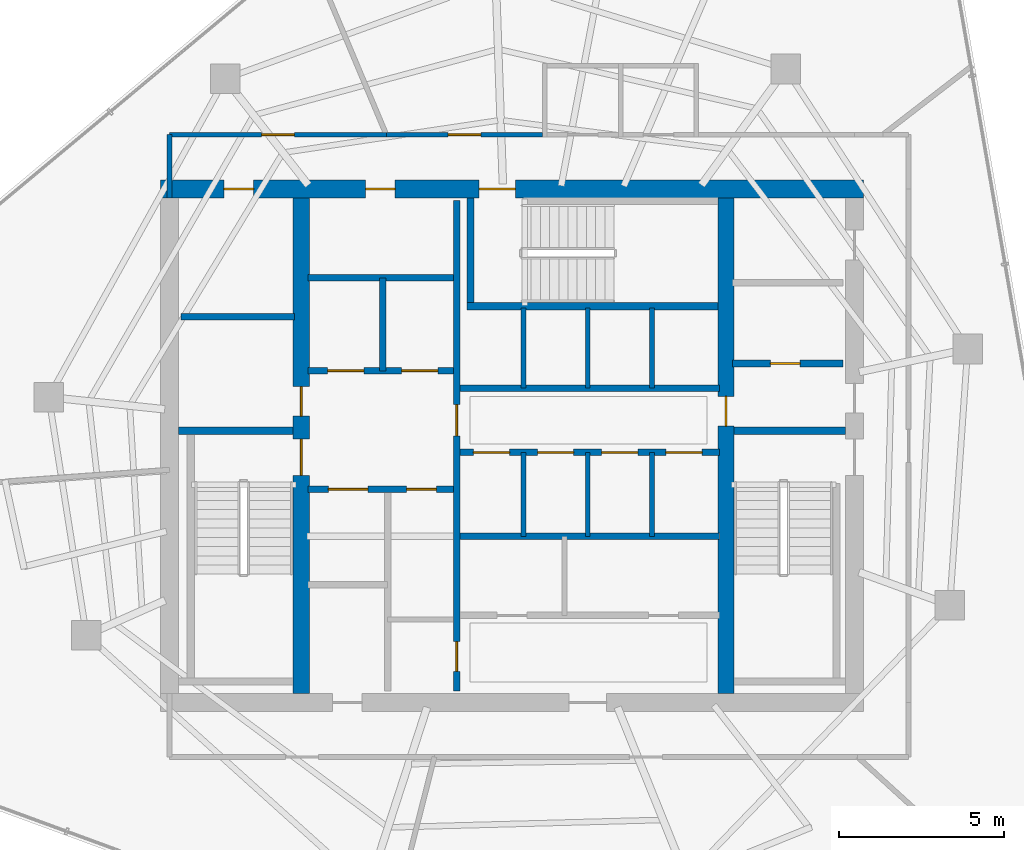
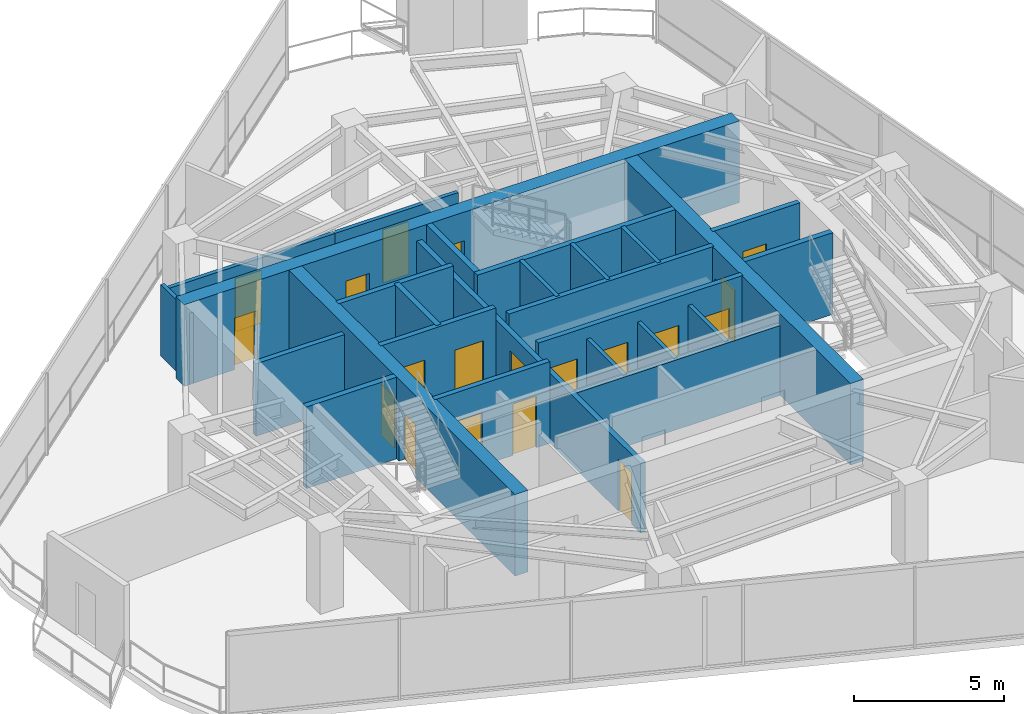
# One storey, part 15 of 18: 26 walls, 19 doors, 19 openings.
"""IFC4 building model written with IfcOpenShell, lengths in metres."""

from ifc_helpers import new_model, si_unit, direction, frame, frame_2d, origin, place, context, subcontext, project, spatial, rectangle, extrude, material, layer, layer_set, type_object, element, fill, save


model = new_model("IFC4")

# Units and contexts
model_context = context("Model", 3, precision=1e-05, world=origin(), true_north=direction((0.0, 1.0)))
body_context = subcontext(model_context, "Body", "Model", "MODEL_VIEW")
ifc_project = project(units=[si_unit("LENGTHUNIT", "METRE"), si_unit("AREAUNIT", "SQUARE_METRE"), si_unit("VOLUMEUNIT", "CUBIC_METRE"), si_unit("PLANEANGLEUNIT", "RADIAN"), si_unit("MASSUNIT", "GRAM", prefix="KILO")], contexts=[model_context])

# Site, building, storey
site_placement = place(None, origin())
site = spatial("IfcSite", under=ifc_project, at=site_placement, CompositionType="ELEMENT")
building_placement = place(site_placement, origin())
building = spatial("IfcBuilding", under=site, at=building_placement, Name="Qarnah Convention Tower", CompositionType="ELEMENT")
storey_placement = place(building_placement, frame((0.0, 0.0, 216.60009765625)))
storey = spatial("IfcBuildingStorey", under=building, at=storey_placement, Name="L58", CompositionType="ELEMENT", Elevation=216.60009765625)

# Wall, openings, doors
ifc_material_1 = material(Name="Concrete C60/75", Category="concrete")
ifc_layer_1 = layer(ifc_material_1, 0.550048828125)
ifc_layer_set_1 = layer_set([ifc_layer_1], Name="Concrete C60/75")
wall_type_1 = type_object("IfcWallType", Name="WL-CORE-550", PredefinedType="SHEAR", material=ifc_layer_set_1)
wall_1_placement = place(storey_placement, frame((26.52490234375, 34.199951171875, 0.0), z_axis=(0.0, 0.0, 1.0), x_axis=(1.0, 0.0, 0.0)))
wall_1 = element("IfcWall", 1, at=wall_1_placement, inside=storey, type_object=wall_type_1, Name="L58 core north shear wall", PredefinedType="SHEAR", context=body_context, shape_type="SweptSolid", body=[
    extrude(rectangle(XDim=21.35009765625, YDim=0.550048828125, at=frame_2d((10.675048828125, 0.0))), origin(), (0.0, 0.0, 1.0), 3.31982421875),
])
opening_1_placement = place(wall_1_placement, frame((9.675048828125, 0.0, 0.0)))
opening_1 = element("IfcOpeningElement", 2, at=opening_1_placement, cuts=wall_1, Name="Opening D-5803", PredefinedType="OPENING", context=body_context, shape_type="SweptSolid", body=[
    extrude(rectangle(XDim=1.10009765625, YDim=2.14990234375, at=frame_2d((0.550048828125, 1.074951171875))), frame((0.0, 0.284912109375, 0.0), z_axis=(0.0, -1.0, 0.0), x_axis=(1.0, 0.0, 0.0)), (0.0, 0.0, 1.0), 0.570068359375),
])
opening_2_placement = place(wall_1_placement, frame((1.925048828125, 0.0, 0.0)))
opening_2 = element("IfcOpeningElement", 3, at=opening_2_placement, cuts=wall_1, Name="Opening D-5809", PredefinedType="OPENING", context=body_context, shape_type="SweptSolid", body=[
    extrude(rectangle(XDim=0.89990234375, YDim=2.10009765625, at=frame_2d((0.449951171875, 1.050048828125))), frame((0.0, 0.284912109375, 0.0), z_axis=(0.0, -1.0, 0.0), x_axis=(1.0, 0.0, 0.0)), (0.0, 0.0, 1.0), 0.570068359375),
])
opening_3_placement = place(wall_1_placement, frame((6.22509765625, 0.0, 0.0)))
opening_3 = element("IfcOpeningElement", 4, at=opening_3_placement, cuts=wall_1, Name="Opening D-5810", PredefinedType="OPENING", context=body_context, shape_type="SweptSolid", body=[
    extrude(rectangle(XDim=0.89990234375, YDim=2.10009765625, at=frame_2d((0.449951171875, 1.050048828125))), frame((0.0, 0.284912109375, 0.0), z_axis=(0.0, -1.0, 0.0), x_axis=(1.0, 0.0, 0.0)), (0.0, 0.0, 1.0), 0.570068359375),
])
ifc_material_2 = material(Name="Structural steel S355JR", Category="steel")
door_type_1 = type_object("IfcDoorType", Name="DT-RISER-900", OperationType="NOTDEFINED", PredefinedType="DOOR", material=ifc_material_2)
door_1_placement = place(opening_2_placement, origin())
door_1 = element("IfcDoor", 5, at=door_1_placement, inside=storey, type_object=door_type_1, Name="Door D-5809", OperationType="SINGLE_SWING_LEFT", OverallHeight=2.10009765625, OverallWidth=0.89990234375, PredefinedType="DOOR", context=body_context, shape_type="SweptSolid", body=[
    extrude(rectangle(XDim=0.89990234375, YDim=2.10009765625, at=frame_2d((0.449951171875, 1.050048828125))), frame((0.0, 0.02490234375, 0.0), z_axis=(0.0, -1.0, 0.0), x_axis=(1.0, 0.0, 0.0)), (0.0, 0.0, 1.0), 0.050048828125),
])
fill(opening_2, door_1)
door_2_placement = place(opening_3_placement, origin())
door_2 = element("IfcDoor", 6, at=door_2_placement, inside=storey, type_object=door_type_1, Name="Door D-5810", OperationType="SINGLE_SWING_RIGHT", OverallHeight=2.10009765625, OverallWidth=0.89990234375, PredefinedType="DOOR", context=body_context, shape_type="SweptSolid", body=[
    extrude(rectangle(XDim=0.89990234375, YDim=2.10009765625, at=frame_2d((0.449951171875, 1.050048828125))), frame((0.0, 0.02490234375, 0.0), z_axis=(0.0, -1.0, 0.0), x_axis=(1.0, 0.0, 0.0)), (0.0, 0.0, 1.0), 0.050048828125),
])
fill(opening_3, door_2)
door_type_2 = type_object("IfcDoorType", Name="DT-STAIR-1100", OperationType="NOTDEFINED", PredefinedType="DOOR", material=ifc_material_2)
door_3_placement = place(opening_1_placement, origin())
door_3 = element("IfcDoor", 7, at=door_3_placement, inside=storey, type_object=door_type_2, Name="Door D-5803", OperationType="SINGLE_SWING_LEFT", OverallHeight=2.14990234375, OverallWidth=1.10009765625, PredefinedType="DOOR", context=body_context, shape_type="SweptSolid", body=[
    extrude(rectangle(XDim=1.10009765625, YDim=2.14990234375, at=frame_2d((0.550048828125, 1.074951171875))), frame((0.0, 0.02490234375, 0.0), z_axis=(0.0, -1.0, 0.0), x_axis=(1.0, 0.0, 0.0)), (0.0, 0.0, 1.0), 0.050048828125),
])
fill(opening_1, door_3)

ifc_layer_2 = layer(ifc_material_1, 0.5)
ifc_layer_set_2 = layer_set([ifc_layer_2], Name="Concrete C60/75")
wall_type_2 = type_object("IfcWallType", Name="WL-CORE-INT-400", PredefinedType="SHEAR", material=ifc_layer_set_2)
wall_2_placement = place(storey_placement, frame((30.800048828125, 18.875, 0.0), z_axis=(0.0, 0.0, 1.0), x_axis=(0.0, 1.0, 0.0)))
wall_2 = element("IfcWall", 8, at=wall_2_placement, inside=storey, type_object=wall_type_2, Name="L58 core west spine shear wall", PredefinedType="SHEAR", context=body_context, shape_type="SweptSolid", body=[
    extrude(rectangle(XDim=15.050048828125, YDim=0.5, at=frame_2d((7.52490234375, 0.0))), origin(), (0.0, 0.0, 1.0), 3.31982421875),
])
opening_4_placement = place(wall_2_placement, frame((6.625, 0.0, 0.0)))
opening_4 = element("IfcOpeningElement", 9, at=opening_4_placement, cuts=wall_2, Name="Opening D-5801", PredefinedType="OPENING", context=body_context, shape_type="SweptSolid", body=[
    extrude(rectangle(XDim=1.10009765625, YDim=2.14990234375, at=frame_2d((0.550048828125, 1.074951171875))), frame((0.0, 0.260009765625, 0.0), z_axis=(0.0, -1.0, 0.0), x_axis=(1.0, 0.0, 0.0)), (0.0, 0.0, 1.0), 0.52001953125),
])
opening_5_placement = place(wall_2_placement, frame((8.425048828125, 0.0, 0.0)))
opening_5 = element("IfcOpeningElement", 10, at=opening_5_placement, cuts=wall_2, Name="Opening D-5808", PredefinedType="OPENING", context=body_context, shape_type="SweptSolid", body=[
    extrude(rectangle(XDim=0.89990234375, YDim=2.10009765625, at=frame_2d((0.449951171875, 1.050048828125))), frame((0.0, 0.260009765625, 0.0), z_axis=(0.0, -1.0, 0.0), x_axis=(1.0, 0.0, 0.0)), (0.0, 0.0, 1.0), 0.52001953125),
])
door_4_placement = place(opening_5_placement, origin())
door_4 = element("IfcDoor", 11, at=door_4_placement, inside=storey, type_object=door_type_1, Name="Door D-5808", OperationType="SINGLE_SWING_RIGHT", OverallHeight=2.10009765625, OverallWidth=0.89990234375, PredefinedType="DOOR", context=body_context, shape_type="SweptSolid", body=[
    extrude(rectangle(XDim=0.89990234375, YDim=2.10009765625, at=frame_2d((0.449951171875, 1.050048828125))), frame((0.0, 0.02490234375, 0.0), z_axis=(0.0, -1.0, 0.0), x_axis=(1.0, 0.0, 0.0)), (0.0, 0.0, 1.0), 0.050048828125),
])
fill(opening_5, door_4)
door_5_placement = place(opening_4_placement, origin())
door_5 = element("IfcDoor", 12, at=door_5_placement, inside=storey, type_object=door_type_2, Name="Door D-5801", OperationType="SINGLE_SWING_LEFT", OverallHeight=2.14990234375, OverallWidth=1.10009765625, PredefinedType="DOOR", context=body_context, shape_type="SweptSolid", body=[
    extrude(rectangle(XDim=1.10009765625, YDim=2.14990234375, at=frame_2d((0.550048828125, 1.074951171875))), frame((0.0, 0.02490234375, 0.0), z_axis=(0.0, -1.0, 0.0), x_axis=(1.0, 0.0, 0.0)), (0.0, 0.0, 1.0), 0.050048828125),
])
fill(opening_4, door_5)

# Wall, opening, door
wall_3_placement = place(storey_placement, frame((43.699951171875, 18.875, 0.0), z_axis=(0.0, 0.0, 1.0), x_axis=(0.0, 1.0, 0.0)))
wall_3 = element("IfcWall", 13, at=wall_3_placement, inside=storey, type_object=wall_type_2, Name="L58 core east spine shear wall", PredefinedType="SHEAR", context=body_context, shape_type="SweptSolid", body=[
    extrude(rectangle(XDim=15.050048828125, YDim=0.5, at=frame_2d((7.52490234375, 0.0))), origin(), (0.0, 0.0, 1.0), 3.31982421875),
])
opening_6_placement = place(wall_3_placement, frame((8.125, 0.0, 0.0)))
opening_6 = element("IfcOpeningElement", 14, at=opening_6_placement, cuts=wall_3, Name="Opening D-5805", PredefinedType="OPENING", context=body_context, shape_type="SweptSolid", body=[
    extrude(rectangle(XDim=0.89990234375, YDim=2.10009765625, at=frame_2d((0.449951171875, 1.050048828125))), frame((0.0, 0.260009765625, 0.0), z_axis=(0.0, -1.0, 0.0), x_axis=(1.0, 0.0, 0.0)), (0.0, 0.0, 1.0), 0.52001953125),
])
door_6_placement = place(opening_6_placement, origin())
door_6 = element("IfcDoor", 15, at=door_6_placement, inside=storey, type_object=door_type_1, Name="Door D-5805", OperationType="SINGLE_SWING_LEFT", OverallHeight=2.10009765625, OverallWidth=0.89990234375, PredefinedType="DOOR", context=body_context, shape_type="SweptSolid", body=[
    extrude(rectangle(XDim=0.89990234375, YDim=2.10009765625, at=frame_2d((0.449951171875, 1.050048828125))), frame((0.0, 0.02490234375, 0.0), z_axis=(0.0, -1.0, 0.0), x_axis=(1.0, 0.0, 0.0)), (0.0, 0.0, 1.0), 0.050048828125),
])
fill(opening_6, door_6)

# Wall
ifc_material_3 = material(Name="Concrete C45/55", Category="concrete")
ifc_layer_3 = layer(ifc_material_3, 0.199951171875)
ifc_layer_set_3 = layer_set([ifc_layer_3], Name="Concrete C45/55")
wall_type_3 = type_object("IfcWallType", Name="WL-CORE-PART-200", PredefinedType="SOLIDWALL", material=ifc_layer_set_3)
wall_4_placement = place(storey_placement, frame((27.14990234375, 30.320068359375, 0.0), z_axis=(0.0, 0.0, 1.0), x_axis=(1.0, 0.0, 0.0)))
element("IfcWall", 16, at=wall_4_placement, inside=storey, type_object=wall_type_3, Name="L58 interior wall IW-L58-ELRN", PredefinedType="SOLIDWALL", context=body_context, shape_type="SweptSolid", body=[
    extrude(rectangle(XDim=3.4501953125, YDim=0.199951171875, at=frame_2d((1.72509765625, 0.0))), origin(), (0.0, 0.0, 1.0), 2.948974609375),
])

# Wall, opening, door
wall_5_placement = place(storey_placement, frame((43.89990234375, 28.89990234375, 0.0), z_axis=(0.0, 0.0, 1.0), x_axis=(1.0, 0.0, 0.0)))
wall_5 = element("IfcWall", 17, at=wall_5_placement, inside=storey, type_object=wall_type_3, Name="L58 interior wall IW-L58-EVSTN", PredefinedType="SOLIDWALL", context=body_context, shape_type="SweptSolid", body=[
    extrude(rectangle(XDim=3.35009765625, YDim=0.199951171875, at=frame_2d((1.675048828125, 0.0))), origin(), (0.0, 0.0, 1.0), 3.31982421875),
])
opening_7_placement = place(wall_5_placement, frame((1.14990234375, 0.0, 0.0)))
opening_7 = element("IfcOpeningElement", 18, at=opening_7_placement, cuts=wall_5, Name="Opening D-5811", PredefinedType="OPENING", context=body_context, shape_type="SweptSolid", body=[
    extrude(rectangle(XDim=0.89990234375, YDim=2.10009765625, at=frame_2d((0.449951171875, 1.050048828125))), frame((0.0, 0.10986328125, 0.0), z_axis=(0.0, -1.0, 0.0), x_axis=(1.0, 0.0, 0.0)), (0.0, 0.0, 1.0), 0.219970703125),
])
door_7_placement = place(opening_7_placement, origin())
door_7 = element("IfcDoor", 19, at=door_7_placement, inside=storey, type_object=door_type_1, Name="Door D-5811", OperationType="SINGLE_SWING_LEFT", OverallHeight=2.10009765625, OverallWidth=0.89990234375, PredefinedType="DOOR", context=body_context, shape_type="SweptSolid", body=[
    extrude(rectangle(XDim=0.89990234375, YDim=2.10009765625, at=frame_2d((0.449951171875, 1.050048828125))), frame((0.0, 0.02490234375, 0.0), z_axis=(0.0, -1.0, 0.0), x_axis=(1.0, 0.0, 0.0)), (0.0, 0.0, 1.0), 0.050048828125),
])
fill(opening_7, door_7)

# Wall, openings, doors
wall_6_placement = place(storey_placement, frame((35.52001953125, 18.949951171875, 0.0), z_axis=(0.0, 0.0, 1.0), x_axis=(0.0, 1.0, 0.0)))
wall_6 = element("IfcWall", 20, at=wall_6_placement, inside=storey, type_object=wall_type_3, Name="L58 interior wall IW-L58-CSP", PredefinedType="SOLIDWALL", context=body_context, shape_type="SweptSolid", body=[
    extrude(rectangle(XDim=14.900146484375, YDim=0.199951171875, at=frame_2d((7.4501953125, 0.0))), origin(), (0.0, 0.0, 1.0), 2.8408203125),
])
opening_8_placement = place(wall_6_placement, frame((7.7548828125, 0.0, 0.0)))
opening_8 = element("IfcOpeningElement", 21, at=opening_8_placement, cuts=wall_6, Name="Opening D-5804", PredefinedType="OPENING", context=body_context, shape_type="SweptSolid", body=[
    extrude(rectangle(XDim=0.949951171875, YDim=2.14990234375, at=frame_2d((0.47509765625, 1.074951171875))), frame((0.0, 0.10986328125, 0.0), z_axis=(0.0, -1.0, 0.0), x_axis=(1.0, 0.0, 0.0)), (0.0, 0.0, 1.0), 0.219970703125),
])
opening_9_placement = place(wall_6_placement, frame((0.60009765625, 0.0, 0.0)))
opening_9 = element("IfcOpeningElement", 22, at=opening_9_placement, cuts=wall_6, Name="Opening D-5814", PredefinedType="OPENING", context=body_context, shape_type="SweptSolid", body=[
    extrude(rectangle(XDim=0.89990234375, YDim=2.10009765625, at=frame_2d((0.449951171875, 1.050048828125))), frame((0.0, 0.10986328125, 0.0), z_axis=(0.0, -1.0, 0.0), x_axis=(1.0, 0.0, 0.0)), (0.0, 0.0, 1.0), 0.219970703125),
])
ifc_material_4 = material(Name="Oak timber veneer", Category="wood")
door_type_3 = type_object("IfcDoorType", Name="DT-HOTEL-950", OperationType="NOTDEFINED", PredefinedType="DOOR", material=ifc_material_4)
door_8_placement = place(opening_8_placement, origin())
door_8 = element("IfcDoor", 23, at=door_8_placement, inside=storey, type_object=door_type_3, Name="Door D-5804", OperationType="SINGLE_SWING_RIGHT", OverallHeight=2.14990234375, OverallWidth=0.949951171875, PredefinedType="DOOR", context=body_context, shape_type="SweptSolid", body=[
    extrude(rectangle(XDim=0.949951171875, YDim=2.14990234375, at=frame_2d((0.47509765625, 1.074951171875))), frame((0.0, 0.02490234375, 0.0), z_axis=(0.0, -1.0, 0.0), x_axis=(1.0, 0.0, 0.0)), (0.0, 0.0, 1.0), 0.050048828125),
])
fill(opening_8, door_8)
door_9_placement = place(opening_9_placement, origin())
door_9 = element("IfcDoor", 24, at=door_9_placement, inside=storey, type_object=door_type_1, Name="Door D-5814", OperationType="SINGLE_SWING_RIGHT", OverallHeight=2.10009765625, OverallWidth=0.89990234375, PredefinedType="DOOR", context=body_context, shape_type="SweptSolid", body=[
    extrude(rectangle(XDim=0.89990234375, YDim=2.10009765625, at=frame_2d((0.449951171875, 1.050048828125))), frame((0.0, 0.02490234375, 0.0), z_axis=(0.0, -1.0, 0.0), x_axis=(1.0, 0.0, 0.0)), (0.0, 0.0, 1.0), 0.050048828125),
])
fill(opening_9, door_9)

wall_7_placement = place(storey_placement, frame((31.0, 28.679931640625, 0.0), z_axis=(0.0, 0.0, 1.0), x_axis=(1.0, 0.0, 0.0)))
wall_7 = element("IfcWall", 25, at=wall_7_placement, inside=storey, type_object=wall_type_3, Name="L58 interior wall IW-L58-FFLS", PredefinedType="SOLIDWALL", context=body_context, shape_type="SweptSolid", body=[
    extrude(rectangle(XDim=4.419921875, YDim=0.199951171875, at=frame_2d((2.2099609375, 0.0))), origin(), (0.0, 0.0, 1.0), 3.31982421875),
])
opening_10_placement = place(wall_7_placement, frame((0.60009765625, 0.0, 0.0)))
opening_10 = element("IfcOpeningElement", 26, at=opening_10_placement, cuts=wall_7, Name="Opening LD-5801", PredefinedType="OPENING", context=body_context, shape_type="SweptSolid", body=[
    extrude(rectangle(XDim=1.10009765625, YDim=2.14990234375, at=frame_2d((0.550048828125, 1.074951171875))), frame((0.0, 0.10986328125, 0.0), z_axis=(0.0, -1.0, 0.0), x_axis=(1.0, 0.0, 0.0)), (0.0, 0.0, 1.0), 0.219970703125),
])
opening_11_placement = place(wall_7_placement, frame((2.85009765625, 0.0, 0.0)))
opening_11 = element("IfcOpeningElement", 27, at=opening_11_placement, cuts=wall_7, Name="Opening LD-5802", PredefinedType="OPENING", context=body_context, shape_type="SweptSolid", body=[
    extrude(rectangle(XDim=1.10009765625, YDim=2.14990234375, at=frame_2d((0.550048828125, 1.074951171875))), frame((0.0, 0.10986328125, 0.0), z_axis=(0.0, -1.0, 0.0), x_axis=(1.0, 0.0, 0.0)), (0.0, 0.0, 1.0), 0.219970703125),
])
door_type_4 = type_object("IfcDoorType", Name="DT-LIFT-1100", OperationType="SLIDING_TO_LEFT", PredefinedType="DOOR", material=ifc_material_2)
door_10_placement = place(opening_10_placement, origin())
door_10 = element("IfcDoor", 28, at=door_10_placement, inside=storey, type_object=door_type_4, Name="Door LD-5801", OperationType="SLIDING_TO_LEFT", OverallHeight=2.14990234375, OverallWidth=1.10009765625, PredefinedType="DOOR", context=body_context, shape_type="SweptSolid", body=[
    extrude(rectangle(XDim=1.10009765625, YDim=2.14990234375, at=frame_2d((0.550048828125, 1.074951171875))), frame((0.0, 0.02490234375, 0.0), z_axis=(0.0, -1.0, 0.0), x_axis=(1.0, 0.0, 0.0)), (0.0, 0.0, 1.0), 0.050048828125),
])
fill(opening_10, door_10)
door_11_placement = place(opening_11_placement, origin())
door_11 = element("IfcDoor", 29, at=door_11_placement, inside=storey, type_object=door_type_4, Name="Door LD-5802", OperationType="SLIDING_TO_LEFT", OverallHeight=2.14990234375, OverallWidth=1.10009765625, PredefinedType="DOOR", context=body_context, shape_type="SweptSolid", body=[
    extrude(rectangle(XDim=1.10009765625, YDim=2.14990234375, at=frame_2d((0.550048828125, 1.074951171875))), frame((0.0, 0.02490234375, 0.0), z_axis=(0.0, -1.0, 0.0), x_axis=(1.0, 0.0, 0.0)), (0.0, 0.0, 1.0), 0.050048828125),
])
fill(opening_11, door_11)

# Walls
wall_8_placement = place(storey_placement, frame((31.0, 31.5, 0.0), z_axis=(0.0, 0.0, 1.0), x_axis=(1.0, 0.0, 0.0)))
element("IfcWall", 30, at=wall_8_placement, inside=storey, type_object=wall_type_3, Name="L58 interior wall IW-L58-FFLN", PredefinedType="SOLIDWALL", context=body_context, shape_type="SweptSolid", body=[
    extrude(rectangle(XDim=4.419921875, YDim=0.199951171875, at=frame_2d((2.2099609375, 0.0))), origin(), (0.0, 0.0, 1.0), 3.31982421875),
])
wall_9_placement = place(storey_placement, frame((33.280029296875, 28.679931640625, 0.0), z_axis=(0.0, 0.0, 1.0), x_axis=(0.0, 1.0, 0.0)))
element("IfcWall", 31, at=wall_9_placement, inside=storey, type_object=wall_type_3, Name="L58 interior wall IW-L58-FFLM", PredefinedType="SOLIDWALL", context=body_context, shape_type="SweptSolid", body=[
    extrude(rectangle(XDim=2.820068359375, YDim=0.199951171875, at=frame_2d((1.41015625, 0.0))), origin(), (0.0, 0.0, 1.0), 3.31982421875),
])

# Wall, openings, doors
wall_10_placement = place(storey_placement, frame((31.0, 25.080078125, 0.0), z_axis=(0.0, 0.0, 1.0), x_axis=(1.0, 0.0, 0.0)))
wall_10 = element("IfcWall", 32, at=wall_10_placement, inside=storey, type_object=wall_type_3, Name="L58 interior wall IW-L58-FFLBS", PredefinedType="SOLIDWALL", context=body_context, shape_type="SweptSolid", body=[
    extrude(rectangle(XDim=4.419921875, YDim=0.199951171875, at=frame_2d((2.2099609375, 0.0))), origin(), (0.0, 0.0, 1.0), 3.31982421875),
])
opening_12_placement = place(wall_10_placement, frame((3.0, 0.0, 0.0)))
opening_12 = element("IfcOpeningElement", 33, at=opening_12_placement, cuts=wall_10, Name="Opening D-5815", PredefinedType="OPENING", context=body_context, shape_type="SweptSolid", body=[
    extrude(rectangle(XDim=0.89990234375, YDim=2.10009765625, at=frame_2d((0.449951171875, 1.050048828125))), frame((0.0, 0.10986328125, 0.0), z_axis=(0.0, -1.0, 0.0), x_axis=(1.0, 0.0, 0.0)), (0.0, 0.0, 1.0), 0.219970703125),
])
opening_13_placement = place(wall_10_placement, frame((0.6201171875, 0.0, 0.0)))
opening_13 = element("IfcOpeningElement", 34, at=opening_13_placement, cuts=wall_10, Name="Opening LD-5803", PredefinedType="OPENING", context=body_context, shape_type="SweptSolid", body=[
    extrude(rectangle(XDim=1.199951171875, YDim=2.14990234375, at=frame_2d((0.60009765625, 1.074951171875))), frame((0.0, 0.10986328125, 0.0), z_axis=(0.0, -1.0, 0.0), x_axis=(1.0, 0.0, 0.0)), (0.0, 0.0, 1.0), 0.219970703125),
])
door_type_5 = type_object("IfcDoorType", Name="DT-LIFT-1200", OperationType="SLIDING_TO_LEFT", PredefinedType="DOOR", material=ifc_material_2)
door_12_placement = place(opening_13_placement, origin())
door_12 = element("IfcDoor", 35, at=door_12_placement, inside=storey, type_object=door_type_5, Name="Door LD-5803", OperationType="SLIDING_TO_LEFT", OverallHeight=2.14990234375, OverallWidth=1.199951171875, PredefinedType="DOOR", context=body_context, shape_type="SweptSolid", body=[
    extrude(rectangle(XDim=1.199951171875, YDim=2.14990234375, at=frame_2d((0.60009765625, 1.074951171875))), frame((0.0, 0.02490234375, 0.0), z_axis=(0.0, -1.0, 0.0), x_axis=(1.0, 0.0, 0.0)), (0.0, 0.0, 1.0), 0.050048828125),
])
fill(opening_13, door_12)
door_13_placement = place(opening_12_placement, origin())
door_13 = element("IfcDoor", 36, at=door_13_placement, inside=storey, type_object=door_type_1, Name="Door D-5815", OperationType="SINGLE_SWING_LEFT", OverallHeight=2.10009765625, OverallWidth=0.89990234375, PredefinedType="DOOR", context=body_context, shape_type="SweptSolid", body=[
    extrude(rectangle(XDim=0.89990234375, YDim=2.10009765625, at=frame_2d((0.449951171875, 1.050048828125))), frame((0.0, 0.02490234375, 0.0), z_axis=(0.0, -1.0, 0.0), x_axis=(1.0, 0.0, 0.0)), (0.0, 0.0, 1.0), 0.050048828125),
])
fill(opening_12, door_13)

# Wall
wall_11_placement = place(storey_placement, frame((35.6201171875, 28.14990234375, 0.0), z_axis=(0.0, 0.0, 1.0), x_axis=(1.0, 0.0, 0.0)))
element("IfcWall", 37, at=wall_11_placement, inside=storey, type_object=wall_type_3, Name="L58 interior wall IW-L58-PHS", PredefinedType="SOLIDWALL", context=body_context, shape_type="SweptSolid", body=[
    extrude(rectangle(XDim=7.8798828125, YDim=0.199951171875, at=frame_2d((3.93994140625, 0.0))), origin(), (0.0, 0.0, 1.0), 3.31982421875),
])

# Wall, openings, doors
wall_12_placement = place(storey_placement, frame((35.6201171875, 26.199951171875, 0.0), z_axis=(0.0, 0.0, 1.0), x_axis=(1.0, 0.0, 0.0)))
wall_12 = element("IfcWall", 38, at=wall_12_placement, inside=storey, type_object=wall_type_3, Name="L58 interior wall IW-L58-PMN", PredefinedType="SOLIDWALL", context=body_context, shape_type="SweptSolid", body=[
    extrude(rectangle(XDim=7.8798828125, YDim=0.199951171875, at=frame_2d((3.93994140625, 0.0))), origin(), (0.0, 0.0, 1.0), 3.31982421875),
])
opening_14_placement = place(wall_12_placement, frame((0.405029296875, 0.0, 0.0)))
opening_14 = element("IfcOpeningElement", 39, at=opening_14_placement, cuts=wall_12, Name="Opening LD-5804", PredefinedType="OPENING", context=body_context, shape_type="SweptSolid", body=[
    extrude(rectangle(XDim=1.10009765625, YDim=2.14990234375, at=frame_2d((0.550048828125, 1.074951171875))), frame((0.0, 0.10986328125, 0.0), z_axis=(0.0, -1.0, 0.0), x_axis=(1.0, 0.0, 0.0)), (0.0, 0.0, 1.0), 0.219970703125),
])
opening_15_placement = place(wall_12_placement, frame((2.35498046875, 0.0, 0.0)))
opening_15 = element("IfcOpeningElement", 40, at=opening_15_placement, cuts=wall_12, Name="Opening LD-5805", PredefinedType="OPENING", context=body_context, shape_type="SweptSolid", body=[
    extrude(rectangle(XDim=1.10009765625, YDim=2.14990234375, at=frame_2d((0.550048828125, 1.074951171875))), frame((0.0, 0.10986328125, 0.0), z_axis=(0.0, -1.0, 0.0), x_axis=(1.0, 0.0, 0.0)), (0.0, 0.0, 1.0), 0.219970703125),
])
opening_16_placement = place(wall_12_placement, frame((4.304931640625, 0.0, 0.0)))
opening_16 = element("IfcOpeningElement", 41, at=opening_16_placement, cuts=wall_12, Name="Opening LD-5806", PredefinedType="OPENING", context=body_context, shape_type="SweptSolid", body=[
    extrude(rectangle(XDim=1.10009765625, YDim=2.14990234375, at=frame_2d((0.550048828125, 1.074951171875))), frame((0.0, 0.10986328125, 0.0), z_axis=(0.0, -1.0, 0.0), x_axis=(1.0, 0.0, 0.0)), (0.0, 0.0, 1.0), 0.219970703125),
])
opening_17_placement = place(wall_12_placement, frame((6.2548828125, 0.0, 0.0)))
opening_17 = element("IfcOpeningElement", 42, at=opening_17_placement, cuts=wall_12, Name="Opening LD-5807", PredefinedType="OPENING", context=body_context, shape_type="SweptSolid", body=[
    extrude(rectangle(XDim=1.10009765625, YDim=2.14990234375, at=frame_2d((0.550048828125, 1.074951171875))), frame((0.0, 0.10986328125, 0.0), z_axis=(0.0, -1.0, 0.0), x_axis=(1.0, 0.0, 0.0)), (0.0, 0.0, 1.0), 0.219970703125),
])
door_14_placement = place(opening_14_placement, origin())
door_14 = element("IfcDoor", 43, at=door_14_placement, inside=storey, type_object=door_type_4, Name="Door LD-5804", OperationType="SLIDING_TO_LEFT", OverallHeight=2.14990234375, OverallWidth=1.10009765625, PredefinedType="DOOR", context=body_context, shape_type="SweptSolid", body=[
    extrude(rectangle(XDim=1.10009765625, YDim=2.14990234375, at=frame_2d((0.550048828125, 1.074951171875))), frame((0.0, 0.02490234375, 0.0), z_axis=(0.0, -1.0, 0.0), x_axis=(1.0, 0.0, 0.0)), (0.0, 0.0, 1.0), 0.050048828125),
])
fill(opening_14, door_14)
door_15_placement = place(opening_15_placement, origin())
door_15 = element("IfcDoor", 44, at=door_15_placement, inside=storey, type_object=door_type_4, Name="Door LD-5805", OperationType="SLIDING_TO_LEFT", OverallHeight=2.14990234375, OverallWidth=1.10009765625, PredefinedType="DOOR", context=body_context, shape_type="SweptSolid", body=[
    extrude(rectangle(XDim=1.10009765625, YDim=2.14990234375, at=frame_2d((0.550048828125, 1.074951171875))), frame((0.0, 0.02490234375, 0.0), z_axis=(0.0, -1.0, 0.0), x_axis=(1.0, 0.0, 0.0)), (0.0, 0.0, 1.0), 0.050048828125),
])
fill(opening_15, door_15)
door_16_placement = place(opening_16_placement, origin())
door_16 = element("IfcDoor", 45, at=door_16_placement, inside=storey, type_object=door_type_4, Name="Door LD-5806", OperationType="SLIDING_TO_LEFT", OverallHeight=2.14990234375, OverallWidth=1.10009765625, PredefinedType="DOOR", context=body_context, shape_type="SweptSolid", body=[
    extrude(rectangle(XDim=1.10009765625, YDim=2.14990234375, at=frame_2d((0.550048828125, 1.074951171875))), frame((0.0, 0.02490234375, 0.0), z_axis=(0.0, -1.0, 0.0), x_axis=(1.0, 0.0, 0.0)), (0.0, 0.0, 1.0), 0.050048828125),
])
fill(opening_16, door_16)
door_17_placement = place(opening_17_placement, origin())
door_17 = element("IfcDoor", 46, at=door_17_placement, inside=storey, type_object=door_type_4, Name="Door LD-5807", OperationType="SLIDING_TO_LEFT", OverallHeight=2.14990234375, OverallWidth=1.10009765625, PredefinedType="DOOR", context=body_context, shape_type="SweptSolid", body=[
    extrude(rectangle(XDim=1.10009765625, YDim=2.14990234375, at=frame_2d((0.550048828125, 1.074951171875))), frame((0.0, 0.02490234375, 0.0), z_axis=(0.0, -1.0, 0.0), x_axis=(1.0, 0.0, 0.0)), (0.0, 0.0, 1.0), 0.050048828125),
])
fill(opening_17, door_17)

# Walls
wall_13_placement = place(storey_placement, frame((35.6201171875, 23.64990234375, 0.0), z_axis=(0.0, 0.0, 1.0), x_axis=(1.0, 0.0, 0.0)))
element("IfcWall", 47, at=wall_13_placement, inside=storey, type_object=wall_type_3, Name="L58 interior wall IW-L58-PMPL", PredefinedType="SOLIDWALL", context=body_context, shape_type="SweptSolid", body=[
    extrude(rectangle(XDim=7.8798828125, YDim=0.199951171875, at=frame_2d((3.93994140625, 0.0))), origin(), (0.0, 0.0, 1.0), 2.8408203125),
])
ifc_layer_4 = layer(ifc_material_1, 0.219970703125)
ifc_layer_set_4 = layer_set([ifc_layer_4], Name="Concrete C60/75")
wall_type_4 = type_object("IfcWallType", Name="WL-CORE-STAIR-220", PredefinedType="SHEAR", material=ifc_layer_set_4)
wall_14_placement = place(storey_placement, frame((27.074951171875, 26.860107421875, 0.0), z_axis=(0.0, 0.0, 1.0), x_axis=(1.0, 0.0, 0.0)))
element("IfcWall", 48, at=wall_14_placement, inside=storey, type_object=wall_type_4, Name="L58 stair shaft shear wall SW-L58-ST1N", PredefinedType="SHEAR", context=body_context, shape_type="SweptSolid", body=[
    extrude(rectangle(XDim=3.47509765625, YDim=0.219970703125, at=frame_2d((1.737548828125, 0.0))), origin(), (0.0, 0.0, 1.0), 3.31982421875),
])
wall_15_placement = place(storey_placement, frame((43.949951171875, 26.860107421875, 0.0), z_axis=(0.0, 0.0, 1.0), x_axis=(1.0, 0.0, 0.0)))
element("IfcWall", 49, at=wall_15_placement, inside=storey, type_object=wall_type_4, Name="L58 stair shaft shear wall SW-L58-ST2N", PredefinedType="SHEAR", context=body_context, shape_type="SweptSolid", body=[
    extrude(rectangle(XDim=3.375, YDim=0.219970703125, at=frame_2d((1.6875, 0.0))), origin(), (0.0, 0.0, 1.0), 3.31982421875),
])
wall_16_placement = place(storey_placement, frame((35.840087890625, 30.639892578125, 0.0), z_axis=(0.0, 0.0, 1.0), x_axis=(1.0, 0.0, 0.0)))
element("IfcWall", 50, at=wall_16_placement, inside=storey, type_object=wall_type_4, Name="L58 stair shaft shear wall SW-L58-ST3S", PredefinedType="SHEAR", context=body_context, shape_type="SweptSolid", body=[
    extrude(rectangle(XDim=7.60986328125, YDim=0.219970703125, at=frame_2d((3.804931640625, 0.0))), origin(), (0.0, 0.0, 1.0), 3.31982421875),
])
wall_17_placement = place(storey_placement, frame((35.93994140625, 30.75, 0.0), z_axis=(0.0, 0.0, 1.0), x_axis=(0.0, 1.0, 0.0)))
element("IfcWall", 51, at=wall_17_placement, inside=storey, type_object=wall_type_4, Name="L58 stair shaft shear wall SW-L58-ST3W", PredefinedType="SHEAR", context=body_context, shape_type="SweptSolid", body=[
    extrude(rectangle(XDim=3.175048828125, YDim=0.219970703125, at=frame_2d((1.58740234375, 0.0))), origin(), (0.0, 0.0, 1.0), 3.31982421875),
])
ifc_material_5 = material(Name="Gypsum partition board")
ifc_layer_5 = layer(ifc_material_5, 0.14990234375)
ifc_layer_set_5 = layer_set([ifc_layer_5], Name="Gypsum partition board")
wall_type_5 = type_object("IfcWallType", Name="WL-SUITE-150", PredefinedType="PARTITIONING", material=ifc_layer_set_5)
for number, where, z_axis, x_axis, name in (
    (52, (37.550048828125, 28.14990234375, 0.0), (0.0, 0.0, 1.0), (0.0, 1.0, 0.0), "L58 interior wall IW-L58-PHD1"),
    (53, (39.5, 28.14990234375, 0.0), (0.0, 0.0, 1.0), (0.0, 1.0, 0.0), "L58 interior wall IW-L58-PHD2"),
    (54, (41.449951171875, 28.14990234375, 0.0), (0.0, 0.0, 1.0), (0.0, 1.0, 0.0), "L58 interior wall IW-L58-PHD3"),
):
    element("IfcWall", number, at=place(storey_placement, frame(where, z_axis=z_axis, x_axis=x_axis)), inside=storey, type_object=wall_type_5, Name=name, PredefinedType="PARTITIONING", context=body_context, shape_type="SweptSolid", body=[
        extrude(rectangle(XDim=2.43017578125, YDim=0.14990234375, at=frame_2d((1.215087890625, 0.0))), origin(), (0.0, 0.0, 1.0), 3.31982421875),
    ])
for number, where, z_axis, x_axis, name in (
    (55, (37.550048828125, 23.64990234375, 0.0), (0.0, 0.0, 1.0), (0.0, 1.0, 0.0), "L58 interior wall IW-L58-PMD1"),
    (56, (39.5, 23.64990234375, 0.0), (0.0, 0.0, 1.0), (0.0, 1.0, 0.0), "L58 interior wall IW-L58-PMD2"),
    (57, (41.449951171875, 23.64990234375, 0.0), (0.0, 0.0, 1.0), (0.0, 1.0, 0.0), "L58 interior wall IW-L58-PMD3"),
):
    element("IfcWall", number, at=place(storey_placement, frame(where, z_axis=z_axis, x_axis=x_axis)), inside=storey, type_object=wall_type_5, Name=name, PredefinedType="PARTITIONING", context=body_context, shape_type="SweptSolid", body=[
        extrude(rectangle(XDim=2.550048828125, YDim=0.14990234375, at=frame_2d((1.27490234375, 0.0))), origin(), (0.0, 0.0, 1.0), 2.8408203125),
    ])

# Wall, opening, door
wall_18_placement = place(storey_placement, frame((33.382080078125, 35.85009765625, 0.0), z_axis=(0.0, 0.0, 1.0), x_axis=(1.0, 0.0, 0.0)))
wall_18 = element("IfcWall", 58, at=wall_18_placement, inside=storey, type_object=wall_type_5, Name="L58 interior wall IW-L58-R-09", PredefinedType="PARTITIONING", context=body_context, shape_type="SweptSolid", body=[
    extrude(rectangle(XDim=4.747802734375, YDim=0.14990234375, at=frame_2d((2.3740234375, 0.0))), origin(), (0.0, 0.0, 1.0), 2.697021484375),
])
opening_18_placement = place(wall_18_placement, frame((1.8740234375, 0.0, 0.0)))
opening_18 = element("IfcOpeningElement", 59, at=opening_18_placement, cuts=wall_18, Name="Opening D-5820", PredefinedType="OPENING", context=body_context, shape_type="SweptSolid", body=[
    extrude(rectangle(XDim=1.0, YDim=2.14990234375, at=frame_2d((0.5, 1.074951171875))), frame((0.0, 0.0849609375, 0.0), z_axis=(0.0, -1.0, 0.0), x_axis=(1.0, 0.0, 0.0)), (0.0, 0.0, 1.0), 0.169921875),
])
door_type_6 = type_object("IfcDoorType", Name="DT-OFFICE-1000", OperationType="NOTDEFINED", PredefinedType="DOOR", material=ifc_material_4)
door_18_placement = place(opening_18_placement, origin())
door_18 = element("IfcDoor", 60, at=door_18_placement, inside=storey, type_object=door_type_6, Name="Door D-5820", OperationType="SINGLE_SWING_RIGHT", OverallHeight=2.14990234375, OverallWidth=1.0, PredefinedType="DOOR", context=body_context, shape_type="SweptSolid", body=[
    extrude(rectangle(XDim=1.0, YDim=2.14990234375, at=frame_2d((0.5, 1.074951171875))), frame((0.0, 0.02490234375, 0.0), z_axis=(0.0, -1.0, 0.0), x_axis=(1.0, 0.0, 0.0)), (0.0, 0.0, 1.0), 0.050048828125),
])
fill(opening_18, door_18)

# Wall
wall_19_placement = place(storey_placement, frame((26.800048828125, 33.925048828125, 0.0), z_axis=(0.0, 0.0, 1.0), x_axis=(0.0, 1.0, 0.0)))
element("IfcWall", 61, at=wall_19_placement, inside=storey, type_object=wall_type_5, Name="L58 interior wall IW-L58-R-14", PredefinedType="PARTITIONING", context=body_context, shape_type="SweptSolid", body=[
    extrude(rectangle(XDim=1.925048828125, YDim=0.14990234375, at=frame_2d((0.96240234375, 0.0))), origin(), (0.0, 0.0, 1.0), 2.90478515625),
])

# Wall, opening, door
wall_20_placement = place(storey_placement, frame((26.800048828125, 35.85009765625, 0.0), z_axis=(0.0, 0.0, 1.0), x_axis=(1.0, 0.0, 0.0)))
wall_20 = element("IfcWall", 62, at=wall_20_placement, inside=storey, type_object=wall_type_5, Name="L58 interior wall IW-L58-R-15", PredefinedType="PARTITIONING", context=body_context, shape_type="SweptSolid", body=[
    extrude(rectangle(XDim=6.58203125, YDim=0.14990234375, at=frame_2d((3.291015625, 0.0))), origin(), (0.0, 0.0, 1.0), 2.697021484375),
])
opening_19_placement = place(wall_20_placement, frame((2.791015625, 0.0, 0.0)))
opening_19 = element("IfcOpeningElement", 63, at=opening_19_placement, cuts=wall_20, Name="Opening D-5821", PredefinedType="OPENING", context=body_context, shape_type="SweptSolid", body=[
    extrude(rectangle(XDim=1.0, YDim=2.14990234375, at=frame_2d((0.5, 1.074951171875))), frame((0.0, 0.0849609375, 0.0), z_axis=(0.0, -1.0, 0.0), x_axis=(1.0, 0.0, 0.0)), (0.0, 0.0, 1.0), 0.169921875),
])
door_19_placement = place(opening_19_placement, origin())
door_19 = element("IfcDoor", 64, at=door_19_placement, inside=storey, type_object=door_type_6, Name="Door D-5821", OperationType="SINGLE_SWING_LEFT", OverallHeight=2.14990234375, OverallWidth=1.0, PredefinedType="DOOR", context=body_context, shape_type="SweptSolid", body=[
    extrude(rectangle(XDim=1.0, YDim=2.14990234375, at=frame_2d((0.5, 1.074951171875))), frame((0.0, 0.02490234375, 0.0), z_axis=(0.0, -1.0, 0.0), x_axis=(1.0, 0.0, 0.0)), (0.0, 0.0, 1.0), 0.050048828125),
])
fill(opening_19, door_19)

save(model, "model.ifc")
